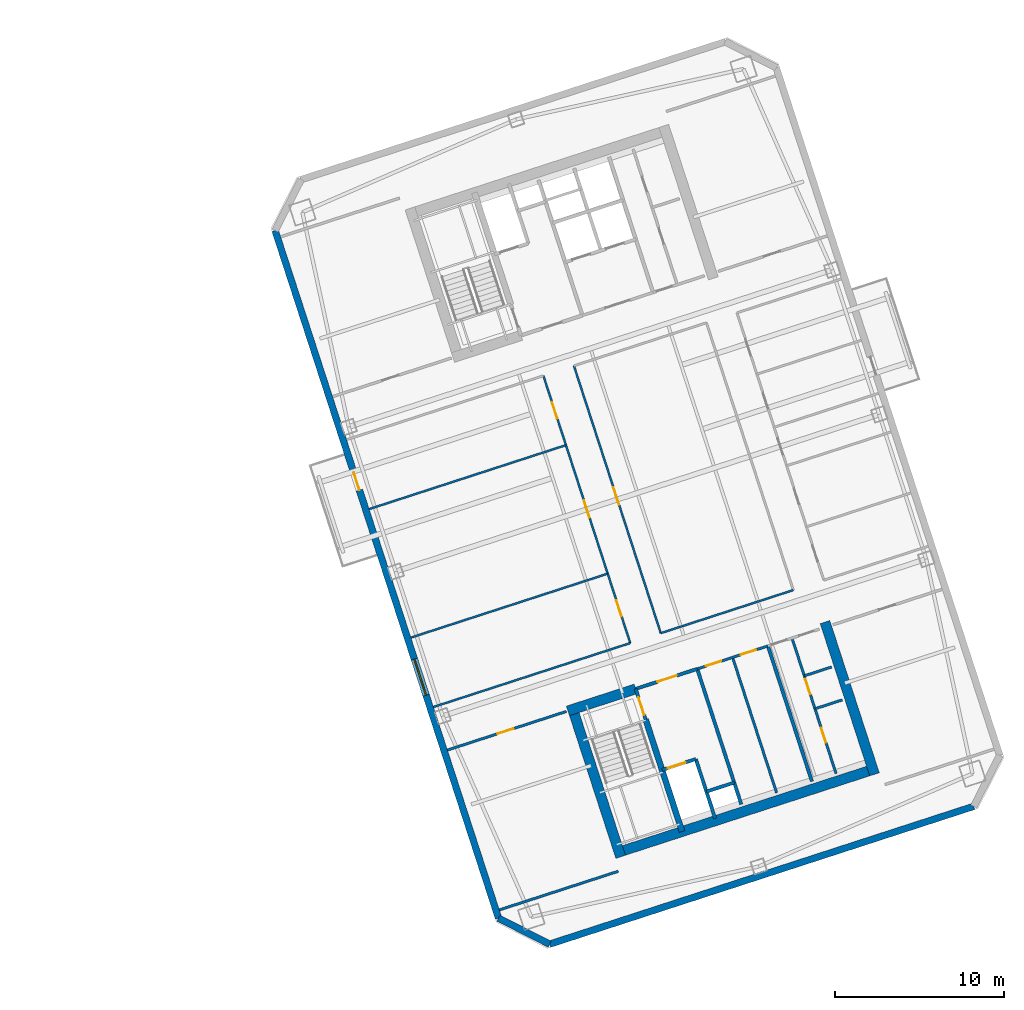
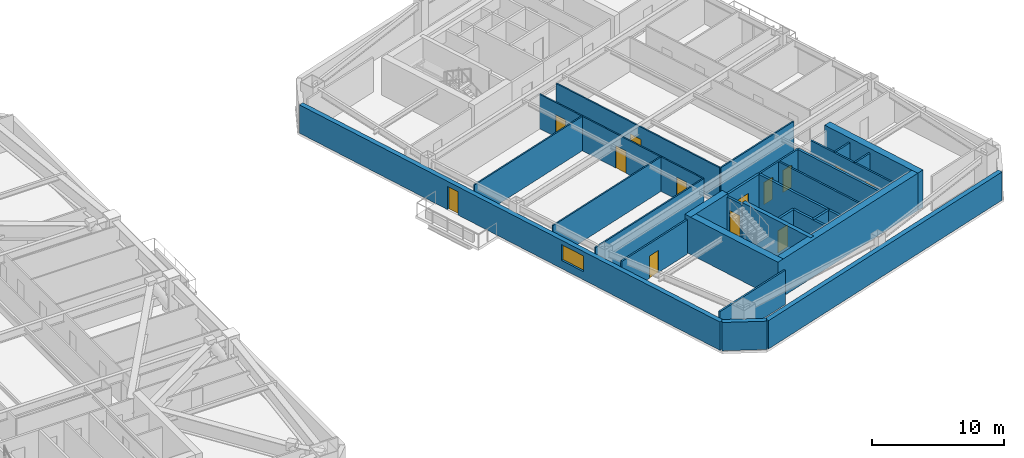
# One storey, part 9 of 17: 28 walls, 13 doors, 1 window, 14 openings.
"""IFC4 building model written with IfcOpenShell, lengths in metres."""

import ifcopenshell
import ifcopenshell.guid

model = None  # the IFC model being written
_history = None  # IfcOwnerHistory: only IFC2X3 demands one
_inside = {}  # id of a spatial element -> (the spatial element, [elements in it])
_under = {}  # id of a project, library or spatial element -> (it, [spatial elements below it])
_declared = {}  # id of a project -> (the project, [libraries it declares])
_typed = {}  # id of a type object -> (the type object, [elements of that type])
_made_of = {}  # id of a material, layer set ... -> (it, [elements and type objects made of it])


def new_model(schema):
    """Start an empty IFC model of exactly this schema.

    Asked for "IFC4X3", IfcOpenShell would pick the latest addendum, in which some entities
    have other attributes; the version numbers below select the first issue.
    IFC2X3 requires an IfcOwnerHistory on every rooted entity: one is made here for all.
    """
    global model, _history
    if schema == "IFC4X3":
        model = ifcopenshell.file(schema_version=(4, 3, 0, 0))
    else:
        model = ifcopenshell.file(schema=schema)
    _inside.clear()
    _under.clear()
    _declared.clear()
    _typed.clear()
    _made_of.clear()
    _history = None
    if model.schema == "IFC2X3":
        org = make("IfcOrganization", Name="unknown")
        user = make(
            "IfcPersonAndOrganization",
            ThePerson=make("IfcPerson", FamilyName="unknown"),
            TheOrganization=org,
        )
        app = make(
            "IfcApplication",
            ApplicationDeveloper=org,
            Version="unknown",
            ApplicationFullName="unknown",
            ApplicationIdentifier="unknown",
        )
        _history = make(
            "IfcOwnerHistory",
            OwningUser=user,
            OwningApplication=app,
            ChangeAction="ADDED",
            CreationDate=0,
        )
    return model


def make(cls, **values):
    """One entity of the class cls with the attributes given. An attribute that is None is left unset."""
    return model.create_entity(
        cls, **{name: value for name, value in values.items() if value is not None}
    )


def rooted(cls, **values):
    """An entity with a GlobalId (a new one), such as an element, a storey or a relation."""
    return make(cls, GlobalId=ifcopenshell.guid.new(), OwnerHistory=_history, **values)


def si_unit(unit_type, name, prefix=None):
    """IfcSIUnit, for example si_unit("LENGTHUNIT", "METRE", prefix="MILLI")."""
    return make("IfcSIUnit", UnitType=unit_type, Prefix=prefix, Name=name)


def assignment(units):
    """IfcUnitAssignment: the units of a project."""
    return None if units is None else make("IfcUnitAssignment", Units=units)


def point(xyz):
    """IfcCartesianPoint."""
    return None if xyz is None else make("IfcCartesianPoint", Coordinates=xyz)


def direction(xyz):
    """IfcDirection."""
    return None if xyz is None else make("IfcDirection", DirectionRatios=xyz)


def frame(location, z_axis=None, x_axis=None):
    """IfcAxis2Placement3D, a coordinate frame: its origin and axes. An axis left out is left unset."""
    return make(
        "IfcAxis2Placement3D",
        Location=point(location),
        Axis=direction(z_axis),
        RefDirection=direction(x_axis),
    )


def frame_2d(location, x_axis=None):
    """IfcAxis2Placement2D, a coordinate frame in the plane: its origin and x axis."""
    return make(
        "IfcAxis2Placement2D", Location=point(location), RefDirection=direction(x_axis)
    )


def origin():
    """The frame at (0, 0, 0) with its axes left unset."""
    return frame((0.0, 0.0, 0.0))


def place(relative_to, where):
    """IfcLocalPlacement: puts the frame where relative to a parent placement (None: the world)."""
    return make(
        "IfcLocalPlacement", PlacementRelTo=relative_to, RelativePlacement=where
    )


def context(
    kind, dimensions, precision=None, world=None, true_north=None, identifier=None
):
    """IfcGeometricRepresentationContext, for example the 3D "Model" context."""
    return make(
        "IfcGeometricRepresentationContext",
        ContextIdentifier=identifier,
        ContextType=kind,
        CoordinateSpaceDimension=dimensions,
        Precision=precision,
        WorldCoordinateSystem=world,
        TrueNorth=true_north,
    )


def subcontext(parent, identifier, kind, view, scale=None):
    """IfcGeometricRepresentationSubContext, for example "Body" below "Model"."""
    return make(
        "IfcGeometricRepresentationSubContext",
        ContextIdentifier=identifier,
        ContextType=kind,
        ParentContext=parent,
        TargetScale=scale,
        TargetView=view,
    )


def project(units=None, contexts=None):
    """IfcProject with its units and contexts."""
    return rooted(
        "IfcProject",
        Name="project",
        RepresentationContexts=contexts,
        UnitsInContext=assignment(units),
    )


def spatial(cls, under=None, at=None, **own):
    """A site, building, storey or space (cls), placed at a placement, below another one or the project."""
    s = rooted(cls, ObjectPlacement=at, **own)
    if under is not None:
        _under.setdefault(under.id(), (under, []))[1].append(s)
    return s


def profile(cls, at=None, kind="AREA", **sizes):
    """A parametric profile (cls). Its sizes go by their IFC names, for example OverallWidth=200.0."""
    return make(cls, ProfileType=kind, Position=at, **sizes)


def rectangle(**sizes):
    """IfcRectangleProfileDef."""
    return profile("IfcRectangleProfileDef", **sizes)


def extrude(swept, where, along, depth):
    """IfcExtrudedAreaSolid: the profile swept, set in the frame where, extruded along a direction by depth."""
    return make(
        "IfcExtrudedAreaSolid",
        SweptArea=swept,
        Position=where,
        ExtrudedDirection=direction(along),
        Depth=depth,
    )


def shape(context_of_items, identifier, shape_type, items):
    """IfcShapeRepresentation: the items that make up one representation, for example the "Body"."""
    return make(
        "IfcShapeRepresentation",
        ContextOfItems=context_of_items,
        RepresentationIdentifier=identifier,
        RepresentationType=shape_type,
        Items=items,
    )


def material(Name=None, Category=None):
    """IfcMaterial."""
    return make("IfcMaterial", Name=Name, Category=Category)


def layer(
    of_material, thickness, ventilated=None, Name=None, Category=None, Priority=None
):
    """IfcMaterialLayer: one layer of a wall or slab, of a material (None: an air gap)."""
    return make(
        "IfcMaterialLayer",
        Material=of_material,
        LayerThickness=thickness,
        IsVentilated=ventilated,
        Name=Name,
        Category=Category,
        Priority=Priority,
    )


def layer_set(layers, Name=None):
    """IfcMaterialLayerSet."""
    return make("IfcMaterialLayerSet", MaterialLayers=layers, LayerSetName=Name)


def made_of(thing, what):
    """Note that an element or type object is made of a material, layer set ...; save() writes the relation."""
    if what is not None:
        _made_of.setdefault(what.id(), (what, []))[1].append(thing)
    return thing


def type_object(cls, material=None, **own):
    """A type object (cls), such as IfcWallType, which elements share."""
    return made_of(rooted(cls, **own), material)


def element(
    cls,
    number,
    at=None,
    inside=None,
    cuts=None,
    type_object=None,
    material=None,
    context=None,
    identifier="Body",
    shape_type=None,
    held_by="IfcProductDefinitionShape",
    body=None,
    shapes=None,
    **own,
):
    """One element of the class cls, such as IfcWall. Its Tag is "e" and its number.

    at: its placement. inside: the storey or other place that contains it. cuts: it is an
    opening in that element (IfcRelVoidsElement). A single representation is given by context,
    identifier, shape_type and body (its items); several are given by shapes. held_by: the class
    of the entity that holds the representations. save() writes the other relations.
    """
    e = rooted(cls, Tag="e%d" % number, ObjectPlacement=at, **own)
    if body is not None:
        shapes = [shape(context, identifier, shape_type, body)]
    if shapes is not None:
        e.Representation = make(held_by, Representations=shapes)
    if inside is not None:
        _inside.setdefault(inside.id(), (inside, []))[1].append(e)
    if cuts is not None:
        rooted(
            "IfcRelVoidsElement", RelatingBuildingElement=cuts, RelatedOpeningElement=e
        )
    if type_object is not None:
        _typed.setdefault(type_object.id(), (type_object, []))[1].append(e)
    return made_of(e, material)


def fill(opening, filler):
    """IfcRelFillsElement: the door or window that sits in an opening."""
    return rooted(
        "IfcRelFillsElement",
        RelatingOpeningElement=opening,
        RelatedBuildingElement=filler,
    )


def aggregate(whole, parts):
    """IfcRelAggregates: a whole, such as a stair, and the parts it consists of."""
    return rooted("IfcRelAggregates", RelatingObject=whole, RelatedObjects=parts)


def save(model, path):
    """Write the relations noted so far, then the file.

    IfcRelAggregates (storeys below a building ...), IfcRelContainedInSpatialStructure (elements
    in a storey), IfcRelDefinesByType, IfcRelAssociatesMaterial and IfcRelDeclares: one each for
    every whole, place, type object, material and project.
    """
    for whole, parts in _under.values():
        aggregate(whole, parts)
    for where, things in _inside.values():
        rooted(
            "IfcRelContainedInSpatialStructure",
            RelatedElements=things,
            RelatingStructure=where,
        )
    for kind, things in _typed.values():
        rooted("IfcRelDefinesByType", RelatedObjects=things, RelatingType=kind)
    for what, things in _made_of.values():
        rooted("IfcRelAssociatesMaterial", RelatedObjects=things, RelatingMaterial=what)
    for by, libraries in _declared.values():
        rooted("IfcRelDeclares", RelatingContext=by, RelatedDefinitions=libraries)
    model.write(path)


model = new_model("IFC4")

# Units and contexts
model_context = context("Model", 3, precision=1e-05, world=origin(), true_north=direction((0.0, 1.0)))
body_context = subcontext(model_context, "Body", "Model", "MODEL_VIEW")
ifc_project = project(units=[si_unit("LENGTHUNIT", "METRE"), si_unit("AREAUNIT", "SQUARE_METRE"), si_unit("VOLUMEUNIT", "CUBIC_METRE"), si_unit("PLANEANGLEUNIT", "RADIAN"), si_unit("MASSUNIT", "GRAM", prefix="KILO")], contexts=[model_context])

# Site, building, storey
site_placement = place(None, origin())
site = spatial("IfcSite", under=ifc_project, at=site_placement, CompositionType="ELEMENT")
building_placement = place(site_placement, origin())
building = spatial("IfcBuilding", under=site, at=building_placement, Name="Qiaolan Cultural Towers", CompositionType="ELEMENT")
storey_placement = place(building_placement, frame((0.0, 0.0, 156.39990234375)))
storey = spatial("IfcBuildingStorey", under=building, at=storey_placement, Name="L41", CompositionType="ELEMENT", Elevation=156.39990234375)

# Walls
ifc_material_1 = material(Name="Concrete C50", Category="concrete")
ifc_layer_1 = layer(ifc_material_1, 0.35009765625)
ifc_layer_set_1 = layer_set([ifc_layer_1], Name="Concrete C50")
wall_type_1 = type_object("IfcWallType", Name="WL-CORE-350", PredefinedType="SHEAR", material=ifc_layer_set_1)
wall_1_placement = place(storey_placement, frame((90.486328125, 20.59423828125, 0.0), z_axis=(0.0, 0.0, 1.0), x_axis=(0.309020428229, -0.951055400562, 0.0)))
element("IfcWall", 1, at=wall_1_placement, inside=storey, type_object=wall_type_1, Name="L41 T2-CS Stair Core Dividing Web", PredefinedType="SHEAR", context=body_context, shape_type="SweptSolid", body=[
    extrude(rectangle(XDim=6.97998046875, YDim=0.35009765625, at=frame_2d((3.489990234375, 0.0))), origin(), (0.0, 0.0, 1.0), 3.4501953125),
])
ifc_material_2 = material(Name="Concrete C55", Category="concrete")
ifc_layer_2 = layer(ifc_material_2, 0.60009765625)
ifc_layer_set_2 = layer_set([ifc_layer_2], Name="Concrete C55")
wall_type_2 = type_object("IfcWallType", Name="WL-CORE-600", PredefinedType="SHEAR", material=ifc_layer_set_2)
wall_2_placement = place(storey_placement, frame((88.6298828125, 12.65185546875, 0.0), z_axis=(0.0, 0.0, 1.0), x_axis=(0.95105714907, 0.309015046886, 0.0)))
element("IfcWall", 2, at=wall_2_placement, inside=storey, type_object=wall_type_2, Name="L41 T2-CS Outer Core Shear Wall", PredefinedType="SHEAR", context=body_context, shape_type="SweptSolid", body=[
    extrude(rectangle(XDim=16.400146484375, YDim=0.60009765625, at=frame_2d((8.2001953125, 0.0))), origin(), (0.0, 0.0, 1.0), 3.4501953125),
])
wall_3_placement = place(storey_placement, frame((86.078369140625, 21.47509765625, 0.0), z_axis=(0.0, 0.0, 1.0), x_axis=(0.309017938678, -0.951056209472, 0.0)))
element("IfcWall", 3, at=wall_3_placement, inside=storey, type_object=wall_type_2, Name="L41 T2-CS West Core Shear Wall", PredefinedType="SHEAR", context=body_context, shape_type="SweptSolid", body=[
    extrude(rectangle(XDim=9.479736328125, YDim=0.60009765625, at=frame_2d((4.73974609375, 0.0))), origin(), (0.0, 0.0, 1.0), 3.4501953125),
])
wall_4_placement = place(storey_placement, frame((101.105224609375, 26.357666015625, 0.0), z_axis=(0.0, 0.0, 1.0), x_axis=(0.309010370028, -0.95105866865, 0.0)))
element("IfcWall", 4, at=wall_4_placement, inside=storey, type_object=wall_type_2, Name="L41 T2-CS East Core Shear Wall", PredefinedType="SHEAR", context=body_context, shape_type="SweptSolid", body=[
    extrude(rectangle(XDim=9.47998046875, YDim=0.60009765625, at=frame_2d((4.739990234375, 0.0))), origin(), (0.0, 0.0, 1.0), 3.4501953125),
])
wall_5_placement = place(storey_placement, frame((85.8857421875, 21.09716796875, 0.0), z_axis=(0.0, 0.0, 1.0), x_axis=(0.951068073652, 0.308981422225, 0.0)))
element("IfcWall", 5, at=wall_5_placement, inside=storey, type_object=wall_type_2, Name="L41 T2-CS Stair Front Shear Wall", PredefinedType="SHEAR", context=body_context, shape_type="SweptSolid", body=[
    extrude(rectangle(XDim=4.22021484375, YDim=0.60009765625, at=frame_2d((2.110107421875, 0.0))), origin(), (0.0, 0.0, 1.0), 3.4501953125),
])

# Wall, openings, door, window
ifc_material_3 = material(Name="Precast Concrete C50 Honed Stone Pier", Category="masonry")
ifc_layer_3 = layer(ifc_material_3, 0.39990234375)
ifc_layer_set_3 = layer_set([ifc_layer_3], Name="Precast Concrete C50 Honed Stone Pier")
wall_type_3 = type_object("IfcWallType", Name="WL-EXT-PIER-400", PredefinedType="SOLIDWALL", material=ifc_layer_set_3)
wall_6_placement = place(storey_placement, frame((81.7763671875, 8.82666015625, 0.0), z_axis=(0.0, 0.0, 1.0), x_axis=(-0.309014228706, 0.951057414911, 0.0)))
wall_6 = element("IfcWall", 6, at=wall_6_placement, inside=storey, type_object=wall_type_3, Name="L41 East Tower Precast Pier Facade Wall F1", PredefinedType="SOLIDWALL", context=body_context, shape_type="SweptSolid", body=[
    extrude(rectangle(XDim=42.800048828125, YDim=0.39990234375, at=frame_2d((21.39990234375, 0.0))), origin(), (0.0, 0.0, 1.0), 2.610107421875),
])
opening_1_placement = place(wall_6_placement, frame((13.875, 0.0, 0.75)))
opening_1 = element("IfcOpeningElement", 7, at=opening_1_placement, cuts=wall_6, Name="Opening W-03", PredefinedType="OPENING", context=body_context, shape_type="SweptSolid", body=[
    extrude(rectangle(XDim=2.25, YDim=1.4599609375, at=frame_2d((1.125, 0.72998046875))), frame((0.0, 0.2099609375, 0.0), z_axis=(0.0, -1.0, 0.0), x_axis=(1.0, 0.0, 0.0)), (0.0, 0.0, 1.0), 0.419921875),
])
opening_2_placement = place(wall_6_placement, frame((26.64990234375, 0.0, 0.0)))
opening_2 = element("IfcOpeningElement", 8, at=opening_2_placement, cuts=wall_6, Name="Opening BD-01", PredefinedType="OPENING", context=body_context, shape_type="SweptSolid", body=[
    extrude(rectangle(XDim=1.10009765625, YDim=2.14990234375, at=frame_2d((0.550048828125, 1.074951171875))), frame((0.0, 0.2099609375, 0.0), z_axis=(0.0, -1.0, 0.0), x_axis=(1.0, 0.0, 0.0)), (0.0, 0.0, 1.0), 0.419921875),
])
ifc_material_4 = material(Name="Thermally Broken Aluminium Glazed Terrace Door", Category="aluminium")
door_type_1 = type_object("IfcDoorType", Name="DR-BAL-1100", OperationType="NOTDEFINED", PredefinedType="DOOR", material=ifc_material_4)
door_1_placement = place(opening_2_placement, origin())
door_1 = element("IfcDoor", 9, at=door_1_placement, inside=storey, type_object=door_type_1, Name="L41 T2 West Tree Balcony Door", OperationType="SINGLE_SWING_LEFT", OverallHeight=2.14990234375, OverallWidth=1.10009765625, PredefinedType="DOOR", context=body_context, shape_type="SweptSolid", body=[
    extrude(rectangle(XDim=1.10009765625, YDim=2.14990234375, at=frame_2d((0.550048828125, 1.074951171875))), frame((0.0, 0.02490234375, 0.0), z_axis=(0.0, -1.0, 0.0), x_axis=(1.0, 0.0, 0.0)), (0.0, 0.0, 1.0), 0.050048828125),
])
fill(opening_2, door_1)
ifc_material_5 = material(Name="Thermally Broken Aluminium Triple Low-E Glazing", Category="aluminium")
window_type = type_object("IfcWindowType", Name="WN-CHIC-2250", PartitioningType="SINGLE_PANEL", PredefinedType="WINDOW", material=ifc_material_5)
window_placement = place(opening_1_placement, origin())
window = element("IfcWindow", 10, at=window_placement, inside=storey, type_object=window_type, Name="L41 T2 W Chicago Bay Window 1", OverallHeight=1.4599609375, OverallWidth=2.25, PartitioningType="TRIPLE_PANEL_VERTICAL", PredefinedType="WINDOW", context=body_context, shape_type="SweptSolid", body=[
    extrude(rectangle(XDim=2.25, YDim=1.4599609375, at=frame_2d((1.125, 0.72998046875))), frame((0.0, 0.030029296875, 0.0), z_axis=(0.0, -1.0, 0.0), x_axis=(1.0, 0.0, 0.0)), (0.0, 0.0, 1.0), 0.06005859375),
])
fill(opening_1, window)

# Walls
wall_7_placement = place(storey_placement, frame((109.908447265625, 15.44384765625, 0.0), z_axis=(0.0, 0.0, 1.0), x_axis=(-0.951057580055, -0.30901372044, 0.0)))
element("IfcWall", 11, at=wall_7_placement, inside=storey, type_object=wall_type_3, Name="L41 East Tower Precast Pier Facade Wall F7", PredefinedType="SOLIDWALL", context=body_context, shape_type="SweptSolid", body=[
    extrude(rectangle(XDim=26.39990234375, YDim=0.39990234375, at=frame_2d((13.199951171875, 0.0))), origin(), (0.0, 0.0, 1.0), 2.610107421875),
])
wall_8_placement = place(storey_placement, frame((84.800537109375, 7.285888671875, 0.0), z_axis=(0.0, 0.0, 1.0), x_axis=(-0.891020832027, 0.453962417932, 0.0)))
element("IfcWall", 12, at=wall_8_placement, inside=storey, type_object=wall_type_3, Name="L41 East Tower Precast Pier Facade Wall F8", PredefinedType="SOLIDWALL", context=body_context, shape_type="SweptSolid", body=[
    extrude(rectangle(XDim=3.39404296875, YDim=0.39990234375, at=frame_2d((1.697021484375, 0.0))), origin(), (0.0, 0.0, 1.0), 2.610107421875),
])

# Wall, opening, door
ifc_material_6 = material(Name="Concrete C35 Fire Wall", Category="concrete")
ifc_layer_4 = layer(ifc_material_6, 0.199951171875)
ifc_layer_set_4 = layer_set([ifc_layer_4], Name="Concrete C35 Fire Wall")
wall_type_4 = type_object("IfcWallType", Name="WL-FIRE-200", PredefinedType="PARTITIONING", material=ifc_layer_set_4)
wall_9_placement = place(storey_placement, frame((89.8994140625, 22.401123046875, 0.0), z_axis=(0.0, 0.0, 1.0), x_axis=(0.308932062672, -0.951084108086, 0.0)))
wall_9 = element("IfcWall", 13, at=wall_9_placement, inside=storey, type_object=wall_type_4, Name="L41 T2-CS Smokeproof Stair Entry Wall", PredefinedType="PARTITIONING", context=body_context, shape_type="SweptSolid", body=[
    extrude(rectangle(XDim=1.89990234375, YDim=0.199951171875, at=frame_2d((0.949951171875, 0.0))), origin(), (0.0, 0.0, 1.0), 3.175048828125),
])
opening_3_placement = place(wall_9_placement, frame((0.52001953125, 0.0, 0.0)))
opening_3 = element("IfcOpeningElement", 14, at=opening_3_placement, cuts=wall_9, Name="Opening FD-04", PredefinedType="OPENING", context=body_context, shape_type="SweptSolid", body=[
    extrude(rectangle(XDim=1.10009765625, YDim=2.050048828125, at=frame_2d((0.550048828125, 1.02490234375))), frame((0.0, 0.10986328125, 0.0), z_axis=(0.0, -1.0, 0.0), x_axis=(1.0, 0.0, 0.0)), (0.0, 0.0, 1.0), 0.219970703125),
])
ifc_material_7 = material(Name="Galvanized Steel Command Fire Door", Category="steel")
door_type_2 = type_object("IfcDoorType", Name="DR-FD90-1100", OperationType="NOTDEFINED", PredefinedType="DOOR", material=ifc_material_7)
door_2_placement = place(opening_3_placement, origin())
door_2 = element("IfcDoor", 15, at=door_2_placement, inside=storey, type_object=door_type_2, Name="L41 ST-E1 Smokeproof Stair Fire Door", OperationType="SINGLE_SWING_LEFT", OverallHeight=2.050048828125, OverallWidth=1.10009765625, PredefinedType="DOOR", context=body_context, shape_type="SweptSolid", body=[
    extrude(rectangle(XDim=1.10009765625, YDim=2.050048828125, at=frame_2d((0.550048828125, 1.02490234375))), frame((0.0, 0.02490234375, 0.0), z_axis=(0.0, -1.0, 0.0), x_axis=(1.0, 0.0, 0.0)), (0.0, 0.0, 1.0), 0.050048828125),
])
fill(opening_3, door_2)

# Wall
wall_10_placement = place(storey_placement, frame((93.541748046875, 23.584716796875, 0.0), z_axis=(0.0, 0.0, 1.0), x_axis=(0.309042196757, -0.951048327176, 0.0)))
element("IfcWall", 16, at=wall_10_placement, inside=storey, type_object=wall_type_4, Name="L41 T2-CS Firefighting Zone Wall", PredefinedType="PARTITIONING", context=body_context, shape_type="SweptSolid", body=[
    extrude(rectangle(XDim=8.429931640625, YDim=0.199951171875, at=frame_2d((4.21484375, 0.0))), origin(), (0.0, 0.0, 1.0), 3.175048828125),
])

# Wall, opening, door
wall_11_placement = place(storey_placement, frame((89.8994140625, 22.401123046875, 0.0), z_axis=(0.0, 0.0, 1.0), x_axis=(0.951046716504, 0.309047153403, 0.0)))
wall_11 = element("IfcWall", 17, at=wall_11_placement, inside=storey, type_object=wall_type_4, Name="L41 T2-CS Firefighting Lobby Front Wall", PredefinedType="PARTITIONING", context=body_context, shape_type="SweptSolid", body=[
    extrude(rectangle(XDim=3.829833984375, YDim=0.199951171875, at=frame_2d((1.9150390625, 0.0))), origin(), (0.0, 0.0, 1.0), 3.175048828125),
])
opening_4_placement = place(wall_11_placement, frame((1.35009765625, 0.0, 0.0)))
opening_4 = element("IfcOpeningElement", 18, at=opening_4_placement, cuts=wall_11, Name="Opening FD-03", PredefinedType="OPENING", context=body_context, shape_type="SweptSolid", body=[
    extrude(rectangle(XDim=1.199951171875, YDim=2.050048828125, at=frame_2d((0.60009765625, 1.02490234375))), frame((0.0, 0.10986328125, 0.0), z_axis=(0.0, -1.0, 0.0), x_axis=(1.0, 0.0, 0.0)), (0.0, 0.0, 1.0), 0.219970703125),
])
ifc_material_8 = material(Name="Galvanized Steel Smokeproof Lobby Fire Door", Category="steel")
door_type_3 = type_object("IfcDoorType", Name="DR-FD90-1200", OperationType="NOTDEFINED", PredefinedType="DOOR", material=ifc_material_8)
door_3_placement = place(opening_4_placement, origin())
door_3 = element("IfcDoor", 19, at=door_3_placement, inside=storey, type_object=door_type_3, Name="L41 FFL-E1 Firefighting Lobby Fire Door", OperationType="SINGLE_SWING_LEFT", OverallHeight=2.050048828125, OverallWidth=1.199951171875, PredefinedType="DOOR", context=body_context, shape_type="SweptSolid", body=[
    extrude(rectangle(XDim=1.199951171875, YDim=2.050048828125, at=frame_2d((0.60009765625, 1.02490234375))), frame((0.0, 0.02490234375, 0.0), z_axis=(0.0, -1.0, 0.0), x_axis=(1.0, 0.0, 0.0)), (0.0, 0.0, 1.0), 0.050048828125),
])
fill(opening_4, door_3)

wall_12_placement = place(storey_placement, frame((91.459716796875, 17.598388671875, 0.0), z_axis=(0.0, 0.0, 1.0), x_axis=(0.951062257173, 0.308999325213, 0.0)))
wall_12 = element("IfcWall", 20, at=wall_12_placement, inside=storey, type_object=wall_type_4, Name="L41 T2-CS Firefighting Shaft Front Wall", PredefinedType="PARTITIONING", context=body_context, shape_type="SweptSolid", body=[
    extrude(rectangle(XDim=2.10009765625, YDim=0.199951171875, at=frame_2d((1.050048828125, 0.0))), origin(), (0.0, 0.0, 1.0), 3.175048828125),
])
opening_5_placement = place(wall_12_placement, frame((0.35009765625, 0.0, 0.0)))
opening_5 = element("IfcOpeningElement", 21, at=opening_5_placement, cuts=wall_12, Name="Opening LD-01", PredefinedType="OPENING", context=body_context, shape_type="SweptSolid", body=[
    extrude(rectangle(XDim=1.10009765625, YDim=2.050048828125, at=frame_2d((0.550048828125, 1.02490234375))), frame((0.0, 0.10986328125, 0.0), z_axis=(0.0, -1.0, 0.0), x_axis=(1.0, 0.0, 0.0)), (0.0, 0.0, 1.0), 0.219970703125),
])
ifc_material_9 = material(Name="Brushed Stainless Steel S30408 Centre-Parting Lift Landing Door", Category="steel")
door_type_4 = type_object("IfcDoorType", Name="DR-LIFT-1100", OperationType="NOTDEFINED", PredefinedType="DOOR", material=ifc_material_9)
door_4_placement = place(opening_5_placement, origin())
door_4 = element("IfcDoor", 22, at=door_4_placement, inside=storey, type_object=door_type_4, Name="L41 FFL-E1 Firefighting Lift Landing Door", OperationType="DOUBLE_DOOR_SLIDING", OverallHeight=2.050048828125, OverallWidth=1.10009765625, PredefinedType="DOOR", context=body_context, shape_type="SweptSolid", body=[
    extrude(rectangle(XDim=1.10009765625, YDim=2.050048828125, at=frame_2d((0.550048828125, 1.02490234375))), frame((0.0, 0.02490234375, 0.0), z_axis=(0.0, -1.0, 0.0), x_axis=(1.0, 0.0, 0.0)), (0.0, 0.0, 1.0), 0.050048828125),
])
fill(opening_5, door_4)

# Walls
wall_13_placement = place(storey_placement, frame((93.45703125, 18.247314453125, 0.0), z_axis=(0.0, 0.0, 1.0), x_axis=(0.3089935693, -0.951064127245, 0.0)))
element("IfcWall", 23, at=wall_13_placement, inside=storey, type_object=wall_type_4, Name="L41 T2-CS Firefighting Hoistway East Wall", PredefinedType="PARTITIONING", context=body_context, shape_type="SweptSolid", body=[
    extrude(rectangle(XDim=3.7001953125, YDim=0.199951171875, at=frame_2d((1.85009765625, 0.0))), origin(), (0.0, 0.0, 1.0), 3.175048828125),
])
wall_14_placement = place(storey_placement, frame((94.08447265625, 16.316650390625, 0.0), z_axis=(0.0, 0.0, 1.0), x_axis=(0.951041328149, 0.309063734775, 0.0)))
element("IfcWall", 24, at=wall_14_placement, inside=storey, type_object=wall_type_4, Name="L41 T2-CS Pressurization Shaft Front Wall", PredefinedType="PARTITIONING", context=body_context, shape_type="SweptSolid", body=[
    extrude(rectangle(XDim=1.72998046875, YDim=0.199951171875, at=frame_2d((0.864990234375, 0.0))), origin(), (0.0, 0.0, 1.0), 3.175048828125),
])
wall_15_placement = place(storey_placement, frame((97.7265625, 24.9443359375, 0.0), z_axis=(0.0, 0.0, 1.0), x_axis=(0.309016001439, -0.951056838919, 0.0)))
element("IfcWall", 25, at=wall_15_placement, inside=storey, type_object=wall_type_4, Name="L41 T2-CS Lift Core East Wall", PredefinedType="PARTITIONING", context=body_context, shape_type="SweptSolid", body=[
    extrude(rectangle(XDim=8.429931640625, YDim=0.199951171875, at=frame_2d((4.21484375, 0.0))), origin(), (0.0, 0.0, 1.0), 3.175048828125),
])
ifc_material_10 = material(Name="Gypsum Stud Acoustic Partition", Category="gypsum")
ifc_layer_5 = layer(ifc_material_10, 0.1201171875)
ifc_layer_set_5 = layer_set([ifc_layer_5], Name="Gypsum Stud Acoustic Partition")
wall_type_5 = type_object("IfcWallType", Name="WL-PART-120", PredefinedType="PARTITIONING", material=ifc_layer_set_5)
wall_16_placement = place(storey_placement, frame((77.9248046875, 21.328369140625, 0.0), z_axis=(0.0, 0.0, 1.0), x_axis=(0.95105749975, 0.309013967595, 0.0)))
element("IfcWall", 26, at=wall_16_placement, inside=storey, type_object=wall_type_5, Name="L41 T2 Interior Wall", PredefinedType="PARTITIONING", context=body_context, shape_type="SweptSolid", body=[
    extrude(rectangle(XDim=12.25, YDim=0.1201171875, at=frame_2d((6.125, 0.0))), origin(), (0.0, 0.0, 1.0), 3.175048828125),
])
wall_17_placement = place(storey_placement, frame((91.382080078125, 25.700927734375, 0.0), z_axis=(0.0, 0.0, 1.0), x_axis=(0.951061683147, 0.309001091988, 0.0)))
element("IfcWall", 27, at=wall_17_placement, inside=storey, type_object=wall_type_5, Name="L41 T2 Interior Wall", PredefinedType="PARTITIONING", context=body_context, shape_type="SweptSolid", body=[
    extrude(rectangle(XDim=8.250244140625, YDim=0.1201171875, at=frame_2d((4.125, 0.0))), origin(), (0.0, 0.0, 1.0), 3.175048828125),
])

# Wall, openings, doors
wall_18_placement = place(storey_placement, frame((89.5751953125, 25.11376953125, 0.0), z_axis=(0.0, 0.0, 1.0), x_axis=(-0.30901773025, 0.951056277195, 0.0)))
wall_18 = element("IfcWall", 28, at=wall_18_placement, inside=storey, type_object=wall_type_5, Name="L41 T2 Interior Wall", PredefinedType="PARTITIONING", context=body_context, shape_type="SweptSolid", body=[
    extrude(rectangle(XDim=16.64013671875, YDim=0.1201171875, at=frame_2d((8.320068359375, 0.0))), origin(), (0.0, 0.0, 1.0), 3.175048828125),
])
opening_6_placement = place(wall_18_placement, frame((1.659912109375, 0.0, 0.0)))
opening_6 = element("IfcOpeningElement", 29, at=opening_6_placement, cuts=wall_18, Name="Opening ID-04", PredefinedType="OPENING", context=body_context, shape_type="SweptSolid", body=[
    extrude(rectangle(XDim=1.0, YDim=2.050048828125, at=frame_2d((0.5, 1.02490234375))), frame((0.0, 0.070068359375, 0.0), z_axis=(0.0, -1.0, 0.0), x_axis=(1.0, 0.0, 0.0)), (0.0, 0.0, 1.0), 0.14013671875),
])
opening_7_placement = place(wall_18_placement, frame((7.820068359375, 0.0, 0.0)))
opening_7 = element("IfcOpeningElement", 30, at=opening_7_placement, cuts=wall_18, Name="Opening ID-07", PredefinedType="OPENING", context=body_context, shape_type="SweptSolid", body=[
    extrude(rectangle(XDim=1.050048828125, YDim=2.050048828125, at=frame_2d((0.52490234375, 1.02490234375))), frame((0.0, 0.070068359375, 0.0), z_axis=(0.0, -1.0, 0.0), x_axis=(1.0, 0.0, 0.0)), (0.0, 0.0, 1.0), 0.14013671875),
])
opening_8_placement = place(wall_18_placement, frame((13.97998046875, 0.0, 0.0)))
opening_8 = element("IfcOpeningElement", 31, at=opening_8_placement, cuts=wall_18, Name="Opening ID-04", PredefinedType="OPENING", context=body_context, shape_type="SweptSolid", body=[
    extrude(rectangle(XDim=1.0, YDim=2.050048828125, at=frame_2d((0.5, 1.02490234375))), frame((0.0, 0.070068359375, 0.0), z_axis=(0.0, -1.0, 0.0), x_axis=(1.0, 0.0, 0.0)), (0.0, 0.0, 1.0), 0.14013671875),
])
ifc_material_11 = material(Name="Oak Veneer Acoustic Office Door", Category="timber")
door_type_5 = type_object("IfcDoorType", Name="DR-INT-1000", OperationType="NOTDEFINED", PredefinedType="DOOR", material=ifc_material_11)
door_5_placement = place(opening_6_placement, origin())
door_5 = element("IfcDoor", 32, at=door_5_placement, inside=storey, type_object=door_type_5, Name="L41 T2 Members Sky Club Door", OperationType="SINGLE_SWING_LEFT", OverallHeight=2.050048828125, OverallWidth=1.0, PredefinedType="DOOR", context=body_context, shape_type="SweptSolid", body=[
    extrude(rectangle(XDim=1.0, YDim=2.050048828125, at=frame_2d((0.5, 1.02490234375))), frame((0.0, 0.02490234375, 0.0), z_axis=(0.0, -1.0, 0.0), x_axis=(1.0, 0.0, 0.0)), (0.0, 0.0, 1.0), 0.050048828125),
])
fill(opening_6, door_5)
door_6_placement = place(opening_8_placement, origin())
door_6 = element("IfcDoor", 33, at=door_6_placement, inside=storey, type_object=door_type_5, Name="L41 T2 Members Sky Club Door", OperationType="SINGLE_SWING_LEFT", OverallHeight=2.050048828125, OverallWidth=1.0, PredefinedType="DOOR", context=body_context, shape_type="SweptSolid", body=[
    extrude(rectangle(XDim=1.0, YDim=2.050048828125, at=frame_2d((0.5, 1.02490234375))), frame((0.0, 0.02490234375, 0.0), z_axis=(0.0, -1.0, 0.0), x_axis=(1.0, 0.0, 0.0)), (0.0, 0.0, 1.0), 0.050048828125),
])
fill(opening_8, door_6)
ifc_material_12 = material(Name="Oak Veneer Consultation Door", Category="timber")
door_type_6 = type_object("IfcDoorType", Name="DR-INT-1050", OperationType="NOTDEFINED", PredefinedType="DOOR", material=ifc_material_12)
door_7_placement = place(opening_7_placement, origin())
door_7 = element("IfcDoor", 34, at=door_7_placement, inside=storey, type_object=door_type_6, Name="L41 T2 Members Sky Club Door", OperationType="SINGLE_SWING_RIGHT", OverallHeight=2.050048828125, OverallWidth=1.050048828125, PredefinedType="DOOR", context=body_context, shape_type="SweptSolid", body=[
    extrude(rectangle(XDim=1.050048828125, YDim=2.050048828125, at=frame_2d((0.52490234375, 1.02490234375))), frame((0.0, 0.02490234375, 0.0), z_axis=(0.0, -1.0, 0.0), x_axis=(1.0, 0.0, 0.0)), (0.0, 0.0, 1.0), 0.050048828125),
])
fill(opening_7, door_7)

# Wall, opening, door
wall_19_placement = place(storey_placement, frame((91.382080078125, 25.700927734375, 0.0), z_axis=(0.0, 0.0, 1.0), x_axis=(-0.309004459387, 0.951060589068, 0.0)))
wall_19 = element("IfcWall", 35, at=wall_19_placement, inside=storey, type_object=wall_type_5, Name="L41 T2 Interior Wall", PredefinedType="PARTITIONING", context=body_context, shape_type="SweptSolid", body=[
    extrude(rectangle(XDim=16.64013671875, YDim=0.1201171875, at=frame_2d((8.320068359375, 0.0))), origin(), (0.0, 0.0, 1.0), 3.175048828125),
])
opening_9_placement = place(wall_19_placement, frame((7.9873046875, 0.0, 0.0)))
opening_9 = element("IfcOpeningElement", 36, at=opening_9_placement, cuts=wall_19, Name="Opening ID-03", PredefinedType="OPENING", context=body_context, shape_type="SweptSolid", body=[
    extrude(rectangle(XDim=1.10009765625, YDim=2.050048828125, at=frame_2d((0.550048828125, 1.02490234375))), frame((0.0, 0.070068359375, 0.0), z_axis=(0.0, -1.0, 0.0), x_axis=(1.0, 0.0, 0.0)), (0.0, 0.0, 1.0), 0.14013671875),
])
ifc_material_13 = material(Name="Oak Veneer Solid-Core Boardroom Door", Category="timber")
door_type_7 = type_object("IfcDoorType", Name="DR-INT-1100", OperationType="NOTDEFINED", PredefinedType="DOOR", material=ifc_material_13)
door_8_placement = place(opening_9_placement, origin())
door_8 = element("IfcDoor", 37, at=door_8_placement, inside=storey, type_object=door_type_7, Name="L41 T2 Central Colloquium Hall Door", OperationType="SINGLE_SWING_LEFT", OverallHeight=2.050048828125, OverallWidth=1.10009765625, PredefinedType="DOOR", context=body_context, shape_type="SweptSolid", body=[
    extrude(rectangle(XDim=1.10009765625, YDim=2.050048828125, at=frame_2d((0.550048828125, 1.02490234375))), frame((0.0, 0.02490234375, 0.0), z_axis=(0.0, -1.0, 0.0), x_axis=(1.0, 0.0, 0.0)), (0.0, 0.0, 1.0), 0.050048828125),
])
fill(opening_9, door_8)

# Walls
for number, where, z_axis, x_axis, name in (
    (38, (76.58984375, 25.43701171875, 0.0), (0.0, 0.0, 1.0), (0.95105749975, 0.309013967595, 0.0), "L41 T2 Interior Wall"),
    (39, (74.11767578125, 33.04541015625, 0.0), (0.0, 0.0, 1.0), (0.95105749975, 0.309013967595, 0.0), "L41 T2 Interior Wall"),
):
    element("IfcWall", number, at=place(storey_placement, frame(where, z_axis=z_axis, x_axis=x_axis)), inside=storey, type_object=wall_type_5, Name=name, PredefinedType="PARTITIONING", context=body_context, shape_type="SweptSolid", body=[
        extrude(rectangle(XDim=12.25, YDim=0.1201171875, at=frame_2d((6.125, 0.0))), origin(), (0.0, 0.0, 1.0), 3.175048828125),
    ])

# Wall, openings, doors
ifc_material_14 = material(Name="Autoclaved Aerated Concrete Block B06", Category="concrete")
ifc_layer_6 = layer(ifc_material_14, 0.14990234375)
ifc_layer_set_6 = layer_set([ifc_layer_6], Name="Autoclaved Aerated Concrete Block B06")
wall_type_6 = type_object("IfcWallType", Name="WL-PART-150", PredefinedType="PARTITIONING", material=ifc_layer_set_6)
wall_20_placement = place(storey_placement, frame((93.541748046875, 23.584716796875, 0.0), z_axis=(0.0, 0.0, 1.0), x_axis=(0.951063829732, 0.308994485023, 0.0)))
wall_20 = element("IfcWall", 40, at=wall_20_placement, inside=storey, type_object=wall_type_6, Name="L41 T2-CS Reclaimed Core Room Front Wall", PredefinedType="PARTITIONING", context=body_context, shape_type="SweptSolid", body=[
    extrude(rectangle(XDim=4.400146484375, YDim=0.14990234375, at=frame_2d((2.2001953125, 0.0))), origin(), (0.0, 0.0, 1.0), 3.175048828125),
])
opening_10_placement = place(wall_20_placement, frame((0.550048828125, 0.0, 0.0)))
opening_10 = element("IfcOpeningElement", 41, at=opening_10_placement, cuts=wall_20, Name="Opening ID-05", PredefinedType="OPENING", context=body_context, shape_type="SweptSolid", body=[
    extrude(rectangle(XDim=0.949951171875, YDim=2.050048828125, at=frame_2d((0.47509765625, 1.02490234375))), frame((0.0, 0.0849609375, 0.0), z_axis=(0.0, -1.0, 0.0), x_axis=(1.0, 0.0, 0.0)), (0.0, 0.0, 1.0), 0.169921875),
])
opening_11_placement = place(wall_20_placement, frame((2.699951171875, 0.0, 0.0)))
opening_11 = element("IfcOpeningElement", 42, at=opening_11_placement, cuts=wall_20, Name="Opening ID-05", PredefinedType="OPENING", context=body_context, shape_type="SweptSolid", body=[
    extrude(rectangle(XDim=0.949951171875, YDim=2.050048828125, at=frame_2d((0.47509765625, 1.02490234375))), frame((0.0, 0.0849609375, 0.0), z_axis=(0.0, -1.0, 0.0), x_axis=(1.0, 0.0, 0.0)), (0.0, 0.0, 1.0), 0.169921875),
])
ifc_material_15 = material(Name="Fire-Rated Laminate Accessible Core Door", Category="timber")
door_type_8 = type_object("IfcDoorType", Name="DR-INT-950", OperationType="NOTDEFINED", PredefinedType="DOOR", material=ifc_material_15)
door_9_placement = place(opening_10_placement, origin())
door_9 = element("IfcDoor", 43, at=door_9_placement, inside=storey, type_object=door_type_8, Name="L41 Copy Print Room Door", OperationType="SINGLE_SWING_LEFT", OverallHeight=2.050048828125, OverallWidth=0.949951171875, PredefinedType="DOOR", context=body_context, shape_type="SweptSolid", body=[
    extrude(rectangle(XDim=0.949951171875, YDim=2.050048828125, at=frame_2d((0.47509765625, 1.02490234375))), frame((0.0, 0.02490234375, 0.0), z_axis=(0.0, -1.0, 0.0), x_axis=(1.0, 0.0, 0.0)), (0.0, 0.0, 1.0), 0.050048828125),
])
fill(opening_10, door_9)
door_10_placement = place(opening_11_placement, origin())
door_10 = element("IfcDoor", 44, at=door_10_placement, inside=storey, type_object=door_type_8, Name="L41 Tea Pantry Room Door", OperationType="SINGLE_SWING_RIGHT", OverallHeight=2.050048828125, OverallWidth=0.949951171875, PredefinedType="DOOR", context=body_context, shape_type="SweptSolid", body=[
    extrude(rectangle(XDim=0.949951171875, YDim=2.050048828125, at=frame_2d((0.47509765625, 1.02490234375))), frame((0.0, 0.02490234375, 0.0), z_axis=(0.0, -1.0, 0.0), x_axis=(1.0, 0.0, 0.0)), (0.0, 0.0, 1.0), 0.050048828125),
])
fill(opening_11, door_10)

# Wall
wall_21_placement = place(storey_placement, frame((95.63427734375, 24.2646484375, 0.0), z_axis=(0.0, 0.0, 1.0), x_axis=(0.309007490203, -0.951059604335, 0.0)))
element("IfcWall", 45, at=wall_21_placement, inside=storey, type_object=wall_type_6, Name="L41 T2-CS Reclaimed Twin Room Wall", PredefinedType="PARTITIONING", context=body_context, shape_type="SweptSolid", body=[
    extrude(rectangle(XDim=8.43017578125, YDim=0.14990234375, at=frame_2d((4.215087890625, 0.0))), origin(), (0.0, 0.0, 1.0), 3.175048828125),
])

# Wall, openings, doors
wall_22_placement = place(storey_placement, frame((99.153076171875, 25.407958984375, 0.0), z_axis=(0.0, 0.0, 1.0), x_axis=(0.309016001439, -0.951056838919, 0.0)))
wall_22 = element("IfcWall", 46, at=wall_22_placement, inside=storey, type_object=wall_type_6, Name="L41 T2-CS Sanitary Corridor Wall", PredefinedType="PARTITIONING", context=body_context, shape_type="SweptSolid", body=[
    extrude(rectangle(XDim=8.429931640625, YDim=0.14990234375, at=frame_2d((4.21484375, 0.0))), origin(), (0.0, 0.0, 1.0), 3.175048828125),
])
opening_12_placement = place(wall_22_placement, frame((2.550048828125, 0.0, 0.0)))
opening_12 = element("IfcOpeningElement", 47, at=opening_12_placement, cuts=wall_22, Name="Opening ID-05", PredefinedType="OPENING", context=body_context, shape_type="SweptSolid", body=[
    extrude(rectangle(XDim=0.949951171875, YDim=2.050048828125, at=frame_2d((0.47509765625, 1.02490234375))), frame((0.0, 0.0849609375, 0.0), z_axis=(0.0, -1.0, 0.0), x_axis=(1.0, 0.0, 0.0)), (0.0, 0.0, 1.0), 0.169921875),
])
opening_13_placement = place(wall_22_placement, frame((5.60009765625, 0.0, 0.0)))
opening_13 = element("IfcOpeningElement", 48, at=opening_13_placement, cuts=wall_22, Name="Opening ID-06", PredefinedType="OPENING", context=body_context, shape_type="SweptSolid", body=[
    extrude(rectangle(XDim=0.89990234375, YDim=2.050048828125, at=frame_2d((0.449951171875, 1.02490234375))), frame((0.0, 0.0849609375, 0.0), z_axis=(0.0, -1.0, 0.0), x_axis=(1.0, 0.0, 0.0)), (0.0, 0.0, 1.0), 0.169921875),
])
ifc_material_16 = material(Name="Fire-Rated Laminate Core Service Door", Category="timber")
door_type_9 = type_object("IfcDoorType", Name="DR-INT-900", OperationType="NOTDEFINED", PredefinedType="DOOR", material=ifc_material_16)
door_11_placement = place(opening_13_placement, origin())
door_11 = element("IfcDoor", 49, at=door_11_placement, inside=storey, type_object=door_type_9, Name="L41 Staff Restroom Door", OperationType="SINGLE_SWING_RIGHT", OverallHeight=2.050048828125, OverallWidth=0.89990234375, PredefinedType="DOOR", context=body_context, shape_type="SweptSolid", body=[
    extrude(rectangle(XDim=0.89990234375, YDim=2.050048828125, at=frame_2d((0.449951171875, 1.02490234375))), frame((0.0, 0.02490234375, 0.0), z_axis=(0.0, -1.0, 0.0), x_axis=(1.0, 0.0, 0.0)), (0.0, 0.0, 1.0), 0.050048828125),
])
fill(opening_13, door_11)
door_12_placement = place(opening_12_placement, origin())
door_12 = element("IfcDoor", 50, at=door_12_placement, inside=storey, type_object=door_type_8, Name="L41 Accessible Washroom Door", OperationType="SINGLE_SWING_LEFT", OverallHeight=2.050048828125, OverallWidth=0.949951171875, PredefinedType="DOOR", context=body_context, shape_type="SweptSolid", body=[
    extrude(rectangle(XDim=0.949951171875, YDim=2.050048828125, at=frame_2d((0.47509765625, 1.02490234375))), frame((0.0, 0.02490234375, 0.0), z_axis=(0.0, -1.0, 0.0), x_axis=(1.0, 0.0, 0.0)), (0.0, 0.0, 1.0), 0.050048828125),
])
fill(opening_12, door_12)

# Walls
for number, where, z_axis, x_axis, name in (
    (51, (100.5126953125, 21.223388671875, 0.0), (0.0, 0.0, 1.0), (0.951096313471, 0.308894484414, 0.0), "L41 T2-CS Restroom Split Wall"),
    (52, (99.879150390625, 23.1728515625, 0.0), (0.0, 0.0, 1.0), (0.951054116971, 0.309024378638, 0.0), "L41 T2-CS Core Pantry Wall"),
):
    element("IfcWall", number, at=place(storey_placement, frame(where, z_axis=z_axis, x_axis=x_axis)), inside=storey, type_object=wall_type_6, Name=name, PredefinedType="PARTITIONING", context=body_context, shape_type="SweptSolid", body=[
        extrude(rectangle(XDim=1.7001953125, YDim=0.14990234375, at=frame_2d((0.85009765625, 0.0))), origin(), (0.0, 0.0, 1.0), 3.175048828125),
    ])
wall_23_placement = place(storey_placement, frame((81.82763671875, 9.31640625, 0.0), z_axis=(0.0, 0.0, 1.0), x_axis=(0.95105128112, 0.309033106124, 0.0)))
element("IfcWall", 53, at=wall_23_placement, inside=storey, type_object=wall_type_6, Name="L41 T2 Flank Wall FLK-SW", PredefinedType="PARTITIONING", context=body_context, shape_type="SweptSolid", body=[
    extrude(rectangle(XDim=7.400146484375, YDim=0.14990234375, at=frame_2d((3.7001953125, 0.0))), origin(), (0.0, 0.0, 1.0), 3.175048828125),
])

# Wall, opening, door
wall_24_placement = place(storey_placement, frame((78.7529296875, 18.779541015625, 0.0), z_axis=(0.0, 0.0, 1.0), x_axis=(0.951060977215, 0.309003264738, 0.0)))
wall_24 = element("IfcWall", 54, at=wall_24_placement, inside=storey, type_object=wall_type_6, Name="L41 T2 Flank Front FLK-SW", PredefinedType="PARTITIONING", context=body_context, shape_type="SweptSolid", body=[
    extrude(rectangle(XDim=7.39990234375, YDim=0.14990234375, at=frame_2d((3.699951171875, 0.0))), origin(), (0.0, 0.0, 1.0), 3.175048828125),
])
opening_14_placement = place(wall_24_placement, frame((3.10791015625, 0.0, 0.0)))
opening_14 = element("IfcOpeningElement", 55, at=opening_14_placement, cuts=wall_24, Name="Opening ID-04", PredefinedType="OPENING", context=body_context, shape_type="SweptSolid", body=[
    extrude(rectangle(XDim=1.0, YDim=2.050048828125, at=frame_2d((0.5, 1.02490234375))), frame((0.0, 0.0849609375, 0.0), z_axis=(0.0, -1.0, 0.0), x_axis=(1.0, 0.0, 0.0)), (0.0, 0.0, 1.0), 0.169921875),
])
door_13_placement = place(opening_14_placement, origin())
door_13 = element("IfcDoor", 56, at=door_13_placement, inside=storey, type_object=door_type_5, Name="L41 T2 Corner Studio Door", OperationType="SINGLE_SWING_LEFT", OverallHeight=2.050048828125, OverallWidth=1.0, PredefinedType="DOOR", context=body_context, shape_type="SweptSolid", body=[
    extrude(rectangle(XDim=1.0, YDim=2.050048828125, at=frame_2d((0.5, 1.02490234375))), frame((0.0, 0.02490234375, 0.0), z_axis=(0.0, -1.0, 0.0), x_axis=(1.0, 0.0, 0.0)), (0.0, 0.0, 1.0), 0.050048828125),
])
fill(opening_14, door_13)

save(model, "model.ifc")
